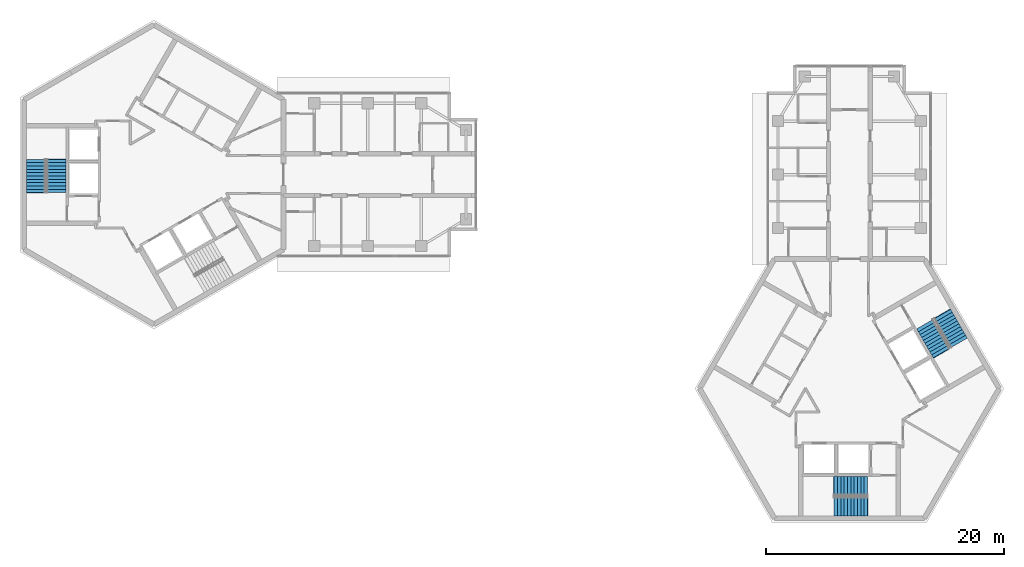
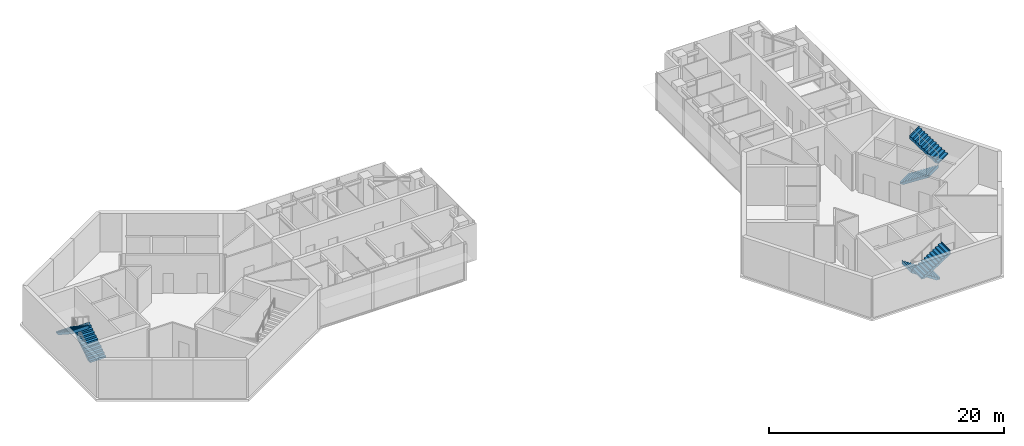
# One storey, part 10 of 11: 6 stair flights, 3 elements without a shape of their own.
"""IFC4 building model written with IfcOpenShell, lengths in metres."""

from ifc_helpers import new_model, si_unit, direction, frame, origin, place, context, subcontext, project, spatial, polyline, outline, extrude, material, type_object, element, aggregate, save


model = new_model("IFC4")

# Units and contexts
model_context = context("Model", 3, precision=1e-05, world=origin(), true_north=direction((0.0, 1.0)))
body_context = subcontext(model_context, "Body", "Model", "MODEL_VIEW")
ifc_project = project(units=[si_unit("LENGTHUNIT", "METRE"), si_unit("AREAUNIT", "SQUARE_METRE"), si_unit("VOLUMEUNIT", "CUBIC_METRE"), si_unit("PLANEANGLEUNIT", "RADIAN"), si_unit("MASSUNIT", "GRAM", prefix="KILO")], contexts=[model_context])

# Site, building, storey
site_placement = place(None, origin())
site = spatial("IfcSite", under=ifc_project, at=site_placement, CompositionType="ELEMENT")
building_placement = place(site_placement, origin())
building = spatial("IfcBuilding", under=site, at=building_placement, Name="Upepo Twin Towers", CompositionType="ELEMENT")
storey_placement = place(building_placement, frame((0.0, 0.0, 275.5)))
storey = spatial("IfcBuildingStorey", under=building, at=storey_placement, Name="L67", CompositionType="ELEMENT", Elevation=275.5)

# Stair, stair flights
ifc_material_1 = material(Name="Concrete C40/50", Category="concrete")
stair_type = type_object("IfcStairType", Name="Core stair, two flights", PredefinedType="HALF_TURN_STAIR", material=ifc_material_1)
stair_1_placement = place(storey_placement, origin())
stair_1 = element("IfcStair", 1, at=stair_1_placement, inside=storey, type_object=stair_type, Name="T1 stair S1 L67", PredefinedType="HALF_TURN_STAIR")
ifc_material_2 = material(Name="Concrete C40/50", Category="concrete")
stair_flight_type = type_object("IfcStairFlightType", Name="Stair flight 1600 RC", PredefinedType="STRAIGHT", material=ifc_material_2)
stair_flight_1_placement = place(storey_placement, frame((-8.199951171875, -1.52001953125, 0.0), z_axis=(0.0, 0.0, 1.0), x_axis=(0.0, 1.0, 0.0)))
stair_flight_1 = element("IfcStairFlight", 2, at=stair_flight_1_placement, type_object=stair_flight_type, Name="Stair S1 flight 1", NumberOfRisers=11, NumberOfTreads=10, PredefinedType="STRAIGHT", RiserHeight=0.181818182, TreadLength=0.28, context=body_context, shape_type="SweptSolid", body=[
    extrude(outline(polyline([(0.0, 0.0), (0.0, 0.181884765625), (0.280029296875, 0.181884765625), (0.280029296875, 0.363525390625), (0.56005859375, 0.363525390625), (0.56005859375, 0.54541015625), (0.840087890625, 0.54541015625), (0.840087890625, 0.727294921875), (1.1201171875, 0.727294921875), (1.1201171875, 0.9091796875), (1.39990234375, 0.9091796875), (1.39990234375, 1.0908203125), (1.679931640625, 1.0908203125), (1.679931640625, 1.272705078125), (1.9599609375, 1.272705078125), (1.9599609375, 1.45458984375), (2.239990234375, 1.45458984375), (2.239990234375, 1.636474609375), (2.52001953125, 1.636474609375), (2.52001953125, 1.818115234375), (2.800048828125, 1.818115234375), (2.800048828125, 2.0), (2.85009765625, 2.0), (2.85009765625, 1.639404296875), (0.3251953125, 0.0), (0.0, 0.0)])), frame((0.0, 0.800048828125, 0.0), z_axis=(0.0, -1.0, 0.0), x_axis=(1.0, 0.0, 0.0)), (0.0, 0.0, 1.0), 1.60009765625),
])
stair_flight_2_placement = place(storey_placement, frame((-9.908447265625, 1.280029296875, 2.0), z_axis=(0.0, 0.0, 1.0), x_axis=(0.0, -1.0, 0.0)))
stair_flight_2 = element("IfcStairFlight", 3, at=stair_flight_2_placement, type_object=stair_flight_type, Name="Stair S1 flight 2", NumberOfRisers=11, NumberOfTreads=10, PredefinedType="STRAIGHT", RiserHeight=0.181818182, TreadLength=0.28, context=body_context, shape_type="SweptSolid", body=[
    extrude(outline(polyline([(0.0, 0.0), (0.0, 0.181884765625), (0.280029296875, 0.181884765625), (0.280029296875, 0.363525390625), (0.56005859375, 0.363525390625), (0.56005859375, 0.54541015625), (0.840087890625, 0.54541015625), (0.840087890625, 0.727294921875), (1.1201171875, 0.727294921875), (1.1201171875, 0.9091796875), (1.39990234375, 0.9091796875), (1.39990234375, 1.0908203125), (1.679931640625, 1.0908203125), (1.679931640625, 1.272705078125), (1.9599609375, 1.272705078125), (1.9599609375, 1.45458984375), (2.239990234375, 1.45458984375), (2.239990234375, 1.636474609375), (2.52001953125, 1.636474609375), (2.52001953125, 1.818115234375), (2.800048828125, 1.818115234375), (2.800048828125, 2.0), (2.85009765625, 2.0), (2.85009765625, 1.639404296875), (0.3251953125, 0.0), (0.0, 0.0)])), frame((0.0, 0.800048828125, 0.0), z_axis=(0.0, -1.0, 0.0), x_axis=(1.0, 0.0, 0.0)), (0.0, 0.0, 1.0), 1.60009765625),
])
aggregate(stair_1, [stair_flight_1, stair_flight_2])

stair_2_placement = place(storey_placement, origin())
stair_2 = element("IfcStair", 4, at=stair_2_placement, inside=storey, type_object=stair_type, Name="T2 stair S1 L67", PredefinedType="HALF_TURN_STAIR")
stair_flight_3_placement = place(storey_placement, frame((60.02001953125, -26.199951171875, 0.0), z_axis=(0.0, 0.0, 1.0), x_axis=(-1.0, 0.0, 0.0)))
stair_flight_3 = element("IfcStairFlight", 5, at=stair_flight_3_placement, type_object=stair_flight_type, Name="Stair S1 flight 1", NumberOfRisers=11, NumberOfTreads=10, PredefinedType="STRAIGHT", RiserHeight=0.181818182, TreadLength=0.28, context=body_context, shape_type="SweptSolid", body=[
    extrude(outline(polyline([(0.0, 0.0), (0.0, 0.181884765625), (0.280029296875, 0.181884765625), (0.280029296875, 0.363525390625), (0.56005859375, 0.363525390625), (0.56005859375, 0.54541015625), (0.840087890625, 0.54541015625), (0.840087890625, 0.727294921875), (1.1201171875, 0.727294921875), (1.1201171875, 0.9091796875), (1.39990234375, 0.9091796875), (1.39990234375, 1.0908203125), (1.679931640625, 1.0908203125), (1.679931640625, 1.272705078125), (1.9599609375, 1.272705078125), (1.9599609375, 1.45458984375), (2.239990234375, 1.45458984375), (2.239990234375, 1.636474609375), (2.52001953125, 1.636474609375), (2.52001953125, 1.818115234375), (2.800048828125, 1.818115234375), (2.800048828125, 2.0), (2.85009765625, 2.0), (2.85009765625, 1.639404296875), (0.3251953125, 0.0), (0.0, 0.0)])), frame((0.0, 0.800048828125, 0.0), z_axis=(0.0, -1.0, 0.0), x_axis=(1.0, 0.0, 0.0)), (0.0, 0.0, 1.0), 1.60009765625),
])
stair_flight_4_placement = place(storey_placement, frame((57.219970703125, -27.908447265625, 2.0), z_axis=(0.0, 0.0, 1.0), x_axis=(1.0, 0.0, 0.0)))
stair_flight_4 = element("IfcStairFlight", 6, at=stair_flight_4_placement, type_object=stair_flight_type, Name="Stair S1 flight 2", NumberOfRisers=11, NumberOfTreads=10, PredefinedType="STRAIGHT", RiserHeight=0.181818182, TreadLength=0.28, context=body_context, shape_type="SweptSolid", body=[
    extrude(outline(polyline([(0.0, 0.0), (0.0, 0.181884765625), (0.280029296875, 0.181884765625), (0.280029296875, 0.363525390625), (0.56005859375, 0.363525390625), (0.56005859375, 0.54541015625), (0.840087890625, 0.54541015625), (0.840087890625, 0.727294921875), (1.1201171875, 0.727294921875), (1.1201171875, 0.9091796875), (1.39990234375, 0.9091796875), (1.39990234375, 1.0908203125), (1.679931640625, 1.0908203125), (1.679931640625, 1.272705078125), (1.9599609375, 1.272705078125), (1.9599609375, 1.45458984375), (2.239990234375, 1.45458984375), (2.239990234375, 1.636474609375), (2.52001953125, 1.636474609375), (2.52001953125, 1.818115234375), (2.800048828125, 1.818115234375), (2.800048828125, 2.0), (2.85009765625, 2.0), (2.85009765625, 1.639404296875), (0.3251953125, 0.0), (0.0, 0.0)])), frame((0.0, 0.800048828125, 0.0), z_axis=(0.0, -1.0, 0.0), x_axis=(1.0, 0.0, 0.0)), (0.0, 0.0, 1.0), 1.60009765625),
])
aggregate(stair_2, [stair_flight_3, stair_flight_4])

stair_3_placement = place(storey_placement, origin())
stair_3 = element("IfcStair", 7, at=stair_3_placement, inside=storey, type_object=stair_type, Name="T2 stair S2 L67", PredefinedType="HALF_TURN_STAIR")
stair_flight_5_placement = place(storey_placement, frame((64.84130859375, -12.583740234375, 0.0), z_axis=(0.0, 0.0, 1.0), x_axis=(0.5, -0.866025403784, 0.0)))
stair_flight_5 = element("IfcStairFlight", 8, at=stair_flight_5_placement, type_object=stair_flight_type, Name="Stair S2 flight 1", NumberOfRisers=11, NumberOfTreads=10, PredefinedType="STRAIGHT", RiserHeight=0.181818182, TreadLength=0.28, context=body_context, shape_type="SweptSolid", body=[
    extrude(outline(polyline([(0.0, 0.0), (0.0, 0.181884765625), (0.280029296875, 0.181884765625), (0.280029296875, 0.363525390625), (0.56005859375, 0.363525390625), (0.56005859375, 0.54541015625), (0.840087890625, 0.54541015625), (0.840087890625, 0.727294921875), (1.1201171875, 0.727294921875), (1.1201171875, 0.9091796875), (1.39990234375, 0.9091796875), (1.39990234375, 1.0908203125), (1.679931640625, 1.0908203125), (1.679931640625, 1.272705078125), (1.9599609375, 1.272705078125), (1.9599609375, 1.45458984375), (2.239990234375, 1.45458984375), (2.239990234375, 1.636474609375), (2.52001953125, 1.636474609375), (2.52001953125, 1.818115234375), (2.800048828125, 1.818115234375), (2.800048828125, 2.0), (2.85009765625, 2.0), (2.85009765625, 1.639404296875), (0.3251953125, 0.0), (0.0, 0.0)])), frame((0.0, 0.800048828125, 0.0), z_axis=(0.0, -1.0, 0.0), x_axis=(1.0, 0.0, 0.0)), (0.0, 0.0, 1.0), 1.60009765625),
])
stair_flight_6_placement = place(storey_placement, frame((67.720947265625, -14.154296875, 2.0), z_axis=(0.0, 0.0, 1.0), x_axis=(-0.5, 0.866025403784, 0.0)))
stair_flight_6 = element("IfcStairFlight", 9, at=stair_flight_6_placement, type_object=stair_flight_type, Name="Stair S2 flight 2", NumberOfRisers=11, NumberOfTreads=10, PredefinedType="STRAIGHT", RiserHeight=0.181818182, TreadLength=0.28, context=body_context, shape_type="SweptSolid", body=[
    extrude(outline(polyline([(0.0, 0.0), (0.0, 0.181884765625), (0.280029296875, 0.181884765625), (0.280029296875, 0.363525390625), (0.56005859375, 0.363525390625), (0.56005859375, 0.54541015625), (0.840087890625, 0.54541015625), (0.840087890625, 0.727294921875), (1.1201171875, 0.727294921875), (1.1201171875, 0.9091796875), (1.39990234375, 0.9091796875), (1.39990234375, 1.0908203125), (1.679931640625, 1.0908203125), (1.679931640625, 1.272705078125), (1.9599609375, 1.272705078125), (1.9599609375, 1.45458984375), (2.239990234375, 1.45458984375), (2.239990234375, 1.636474609375), (2.52001953125, 1.636474609375), (2.52001953125, 1.818115234375), (2.800048828125, 1.818115234375), (2.800048828125, 2.0), (2.85009765625, 2.0), (2.85009765625, 1.639404296875), (0.3251953125, 0.0), (0.0, 0.0)])), frame((0.0, 0.800048828125, 0.0), z_axis=(0.0, -1.0, 0.0), x_axis=(1.0, 0.0, 0.0)), (0.0, 0.0, 1.0), 1.60009765625),
])
aggregate(stair_3, [stair_flight_5, stair_flight_6])

save(model, "model.ifc")
